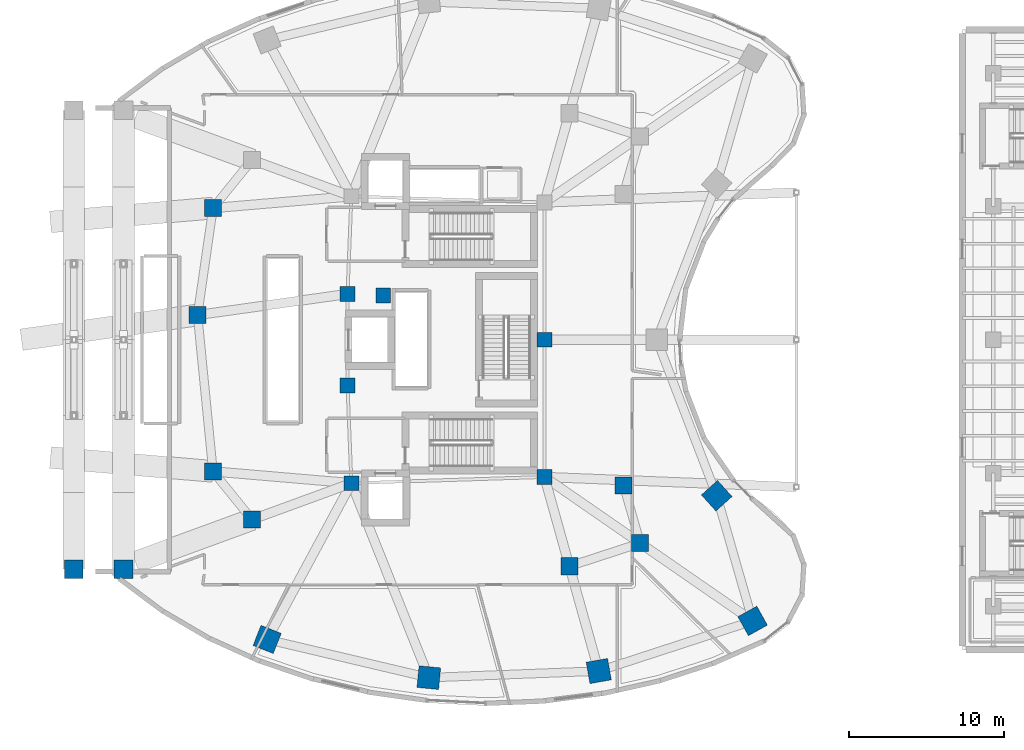
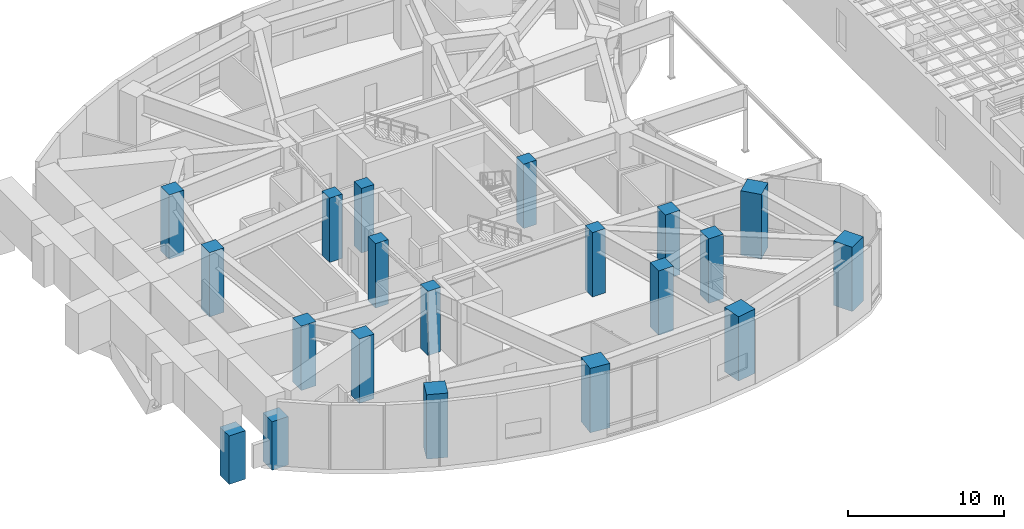
# One storey, part 1 of 23: 20 columns.
"""IFC4 building model written with IfcOpenShell, lengths in metres."""

from ifc_helpers import new_model, si_unit, direction, frame, origin, origin_2d, place, context, subcontext, project, spatial, rectangle, extrude, material, material_profile, profile_set, type_object, element, save


model = new_model("IFC4")

# Units and contexts
model_context = context("Model", 3, precision=1e-05, world=origin(), true_north=direction((0.0, 1.0)))
body_context = subcontext(model_context, "Body", "Model", "MODEL_VIEW")
ifc_project = project(units=[si_unit("LENGTHUNIT", "METRE"), si_unit("AREAUNIT", "SQUARE_METRE"), si_unit("VOLUMEUNIT", "CUBIC_METRE"), si_unit("PLANEANGLEUNIT", "RADIAN"), si_unit("MASSUNIT", "GRAM", prefix="KILO")], contexts=[model_context])

# Site, building, storey
site_placement = place(None, origin())
site = spatial("IfcSite", under=ifc_project, at=site_placement, CompositionType="ELEMENT")
building_placement = place(site_placement, origin())
building = spatial("IfcBuilding", under=site, at=building_placement, Name="Korentha Bioscience Tower", CompositionType="ELEMENT")
storey_placement = place(building_placement, frame((0.0, 0.0, 15.0)))
storey = spatial("IfcBuildingStorey", under=building, at=storey_placement, Name="L03", CompositionType="ELEMENT", Elevation=15.0)

# Columns
ifc_material_1 = material(Name="Concrete C65", Category="concrete")
ifc_material_profile_1 = material_profile(ifc_material_1, rectangle(XDim=0.949951171875, YDim=0.949951171875, at=origin_2d()), Name="Concrete C65")
ifc_profile_set_1 = profile_set([ifc_material_profile_1], Name="Concrete C65 (COL-CP09)")
column_type_1 = type_object("IfcColumnType", Name="Core Pilaster Column RC 950x950", PredefinedType="PILASTER", material=ifc_profile_set_1)
for number, where, z_axis, x_axis, name in (
    (1, (24.85009765625, 29.949951171875, -0.00048828125), (0.0, 0.0, 1.0), (1.0, 0.0, 0.0), "L03 Core Pilaster CP-03"),
    (2, (27.14990234375, 29.85009765625, -0.00048828125), (0.0, 0.0, 1.0), (1.0, 0.0, 0.0), "L03 Core Pilaster CP-04"),
    (3, (24.85009765625, 24.050048828125, -0.00048828125), (0.0, 0.0, 1.0), (1.0, 0.0, 0.0), "L03 Core Pilaster CP-05"),
    (4, (25.10009765625, 17.75, -0.00048828125), (0.0, 0.0, 1.0), (1.0, 0.0, 0.0), "L03 Core Pilaster CP-06"),
    (5, (37.550048828125, 18.14990234375, -0.00048828125), (0.0, 0.0, 1.0), (1.0, 0.0, 0.0), "L03 Core Pilaster CP-07"),
    (6, (37.550048828125, 27.0, -0.00048828125), (0.0, 0.0, 1.0), (1.0, 0.0, 0.0), "L03 Core Pilaster CP-08"),
):
    element("IfcColumn", number, at=place(storey_placement, frame(where, z_axis=z_axis, x_axis=x_axis)), inside=storey, type_object=column_type_1, Name=name, PredefinedType="PILASTER", context=body_context, shape_type="SweptSolid", body=[
        extrude(rectangle(XDim=0.949951171875, YDim=0.949951171875, at=origin_2d()), origin(), (0.0, 0.0, 1.0), 5.051025390625),
    ])
ifc_material_2 = material(Name="Concrete C80", Category="concrete")
ifc_material_profile_2 = material_profile(ifc_material_2, rectangle(XDim=1.10009765625, YDim=1.10009765625, at=origin_2d()), Name="Concrete C80")
ifc_profile_set_2 = profile_set([ifc_material_profile_2], Name="Concrete C80 (COL-MR11)")
column_type_2 = type_object("IfcColumnType", Name="Mid-Ring Lab Column RC 1100x1100", PredefinedType="COLUMN", material=ifc_profile_set_2)
for number, where, z_axis, x_axis, name in (
    (7, (16.174072265625, 35.489013671875, -0.00048828125), (0.0, 0.0, 1.0), (1.0, 0.0, 0.0), "L03 Mid-Ring Column 06"),
    (8, (15.1787109375, 28.593505859375, -0.00048828125), (0.0, 0.0, 1.0), (1.0, 0.0, 0.0), "L03 Mid-Ring Column 07"),
    (9, (16.174072265625, 18.510986328125, -0.00048828125), (0.0, 0.0, 1.0), (1.0, 0.0, 0.0), "L03 Mid-Ring Column 08"),
    (10, (18.692138671875, 15.4052734375, -0.00048828125), (0.0, 0.0, 1.0), (1.0, 0.0, 0.0), "L03 Mid-Ring Column 09"),
    (11, (39.1611328125, 12.392333984375, -0.00048828125), (0.0, 0.0, 1.0), (1.0, 0.0, 0.0), "L03 Mid-Ring Column 12"),
    (12, (43.7265625, 13.878662109375, -0.00048828125), (0.0, 0.0, 1.0), (1.0, 0.0, 0.0), "L03 Mid-Ring Column 13"),
    (13, (42.66162109375, 17.593017578125, -0.00048828125), (0.0, 0.0, 1.0), (1.0, 0.0, 0.0), "L03 Mid-Ring Column 14"),
):
    element("IfcColumn", number, at=place(storey_placement, frame(where, z_axis=z_axis, x_axis=x_axis)), inside=storey, type_object=column_type_2, Name=name, PredefinedType="COLUMN", context=body_context, shape_type="SweptSolid", body=[
        extrude(rectangle(XDim=1.10009765625, YDim=1.10009765625, at=origin_2d()), origin(), (0.0, 0.0, 1.0), 5.051025390625),
    ])
ifc_material_profile_3 = material_profile(ifc_material_2, rectangle(XDim=1.199951171875, YDim=1.199951171875, at=origin_2d()), Name="Concrete C80")
ifc_profile_set_3 = profile_set([ifc_material_profile_3], Name="Concrete C80 (COL-P12)")
column_type_3 = type_object("IfcColumnType", Name="Perimeter Column RC 1200x1200", PredefinedType="COLUMN", material=ifc_profile_set_3)
for number, where, z_axis, x_axis, name in (
    (14, (7.199951171875, 12.199951171875, -0.35009765625), (0.0, 0.0, 1.0), (1.0, 0.0, 0.0), "L03 Arch End Pier 1-S"),
    (15, (10.39990234375, 12.199951171875, -0.35009765625), (0.0, 0.0, 1.0), (1.0, 0.0, 0.0), "L03 Arch End Pier 2-S"),
):
    element("IfcColumn", number, at=place(storey_placement, frame(where, z_axis=z_axis, x_axis=x_axis)), inside=storey, type_object=column_type_3, Name=name, PredefinedType="COLUMN", context=body_context, shape_type="SweptSolid", body=[
        extrude(rectangle(XDim=1.199951171875, YDim=1.199951171875, at=origin_2d()), origin(), (0.0, 0.0, 1.0), 3.800048828125),
    ])
ifc_material_profile_4 = material_profile(ifc_material_2, rectangle(XDim=1.39990234375, YDim=1.39990234375, at=origin_2d()), Name="Concrete C80")
ifc_profile_set_4 = profile_set([ifc_material_profile_4], Name="Concrete C80 (COL-P14)")
column_type_4 = type_object("IfcColumnType", Name="Perimeter Column RC 1400x1400", PredefinedType="COLUMN", material=ifc_profile_set_4)
for number, where, z_axis, x_axis, name in (
    (16, (19.66650390625, 7.671142578125, -0.00048828125), (0.0, 0.0, 1.0), (-0.930225540858, 0.366988341962, 0.0), "L03 Perimeter Column 10"),
    (17, (30.09423828125, 5.20751953125, -0.00048828125), (0.0, 0.0, 1.0), (-0.995462868748, 0.095150811579, 0.0), "L03 Perimeter Column 11"),
    (18, (41.052490234375, 5.63330078125, -0.00048828125), (0.0, 0.0, 1.0), (0.984868307662, 0.173304404339, 0.0), "L03 Perimeter Column 12"),
    (19, (50.977294921875, 8.864501953125, -0.00048828125), (0.0, 0.0, 1.0), (0.874535078577, 0.484962262797, 0.0), "L03 Perimeter Column 13"),
    (20, (48.661865234375, 16.939208984375, -0.00048828125), (0.0, 0.0, 1.0), (-0.669130606359, 0.743144825477, 0.0), "L03 Perimeter Column 14"),
):
    element("IfcColumn", number, at=place(storey_placement, frame(where, z_axis=z_axis, x_axis=x_axis)), inside=storey, type_object=column_type_4, Name=name, PredefinedType="COLUMN", context=body_context, shape_type="SweptSolid", body=[
        extrude(rectangle(XDim=1.39990234375, YDim=1.39990234375, at=origin_2d()), origin(), (0.0, 0.0, 1.0), 5.051025390625),
    ])

save(model, "model.ifc")
